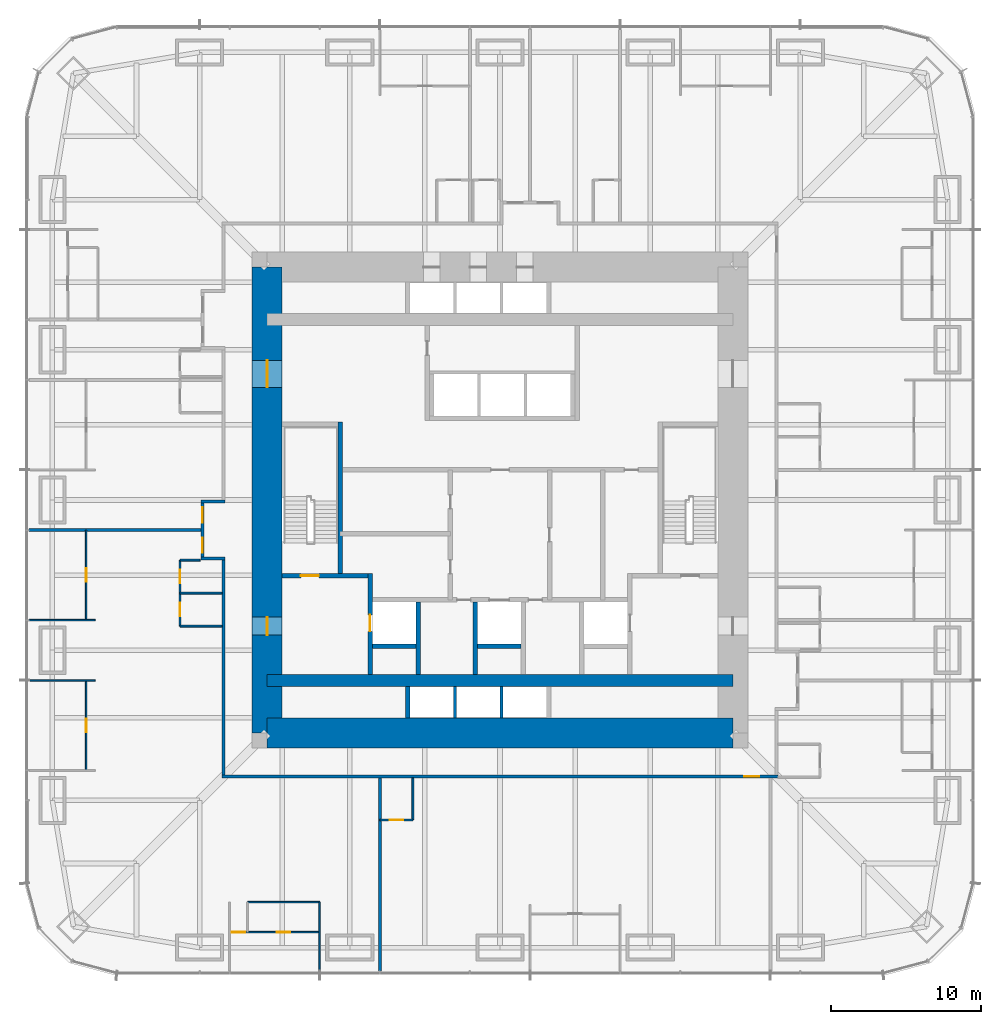
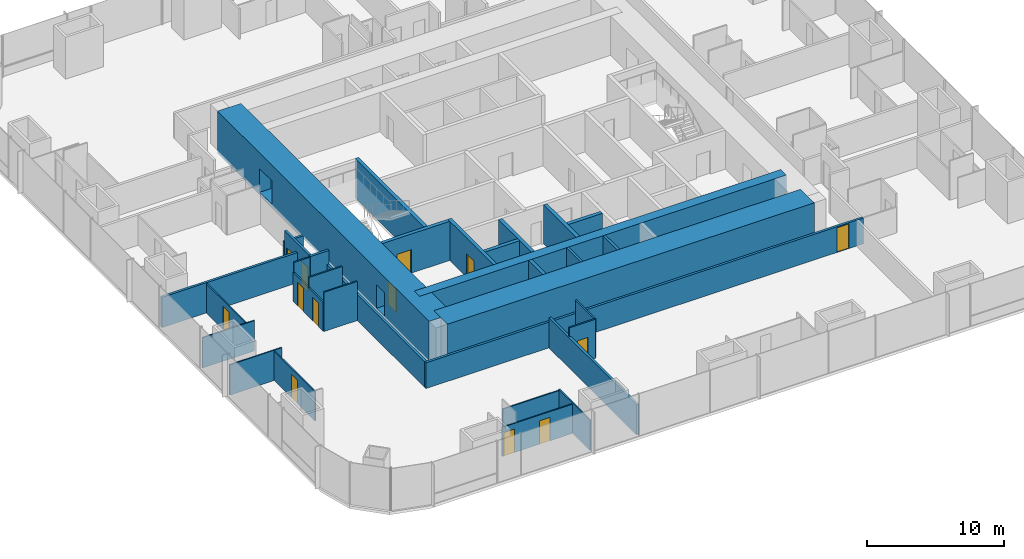
# One storey, part 12 of 17: 33 walls, 14 doors, 14 openings.
"""IFC4 building model written with IfcOpenShell, lengths in metres."""

from ifc_helpers import new_model, si_unit, direction, frame, frame_2d, origin, place, context, subcontext, project, spatial, rectangle, extrude, material, layer, layer_set, type_object, element, fill, save


model = new_model("IFC4")

# Units and contexts
model_context = context("Model", 3, precision=1e-05, world=origin(), true_north=direction((0.0, 1.0)))
body_context = subcontext(model_context, "Body", "Model", "MODEL_VIEW")
ifc_project = project(units=[si_unit("LENGTHUNIT", "METRE"), si_unit("AREAUNIT", "SQUARE_METRE"), si_unit("VOLUMEUNIT", "CUBIC_METRE"), si_unit("PLANEANGLEUNIT", "RADIAN"), si_unit("MASSUNIT", "GRAM", prefix="KILO")], contexts=[model_context])

# Site, building, storey
site_placement = place(None, origin())
site = spatial("IfcSite", under=ifc_project, at=site_placement, CompositionType="ELEMENT")
building_placement = place(site_placement, origin())
building = spatial("IfcBuilding", under=site, at=building_placement, Name="Khuree Lantern Residences", CompositionType="ELEMENT")
storey_placement = place(building_placement, frame((0.0, 0.0, 51.0)))
storey = spatial("IfcBuildingStorey", under=building, at=storey_placement, Name="L12", CompositionType="ELEMENT", Elevation=51.0)

# Wall, openings, doors
ifc_material_1 = material(Name="Moisture-resistant gypsum board on steel studs", Category="steel")
ifc_layer_1 = layer(ifc_material_1, 0.125)
ifc_layer_set_1 = layer_set([ifc_layer_1], Name="BATHROOM WALL BTW125")
wall_type_1 = type_object("IfcWallType", Name="BATHROOM WALL BTW125", PredefinedType="PARTITIONING", material=ifc_layer_set_1)
wall_1_placement = place(storey_placement, frame((-21.300048828125, -4.0, 0.0), z_axis=(0.0, 0.0, 1.0), x_axis=(0.0, -1.0, 0.0)))
wall_1 = element("IfcWall", 1, at=wall_1_placement, inside=storey, type_object=wall_type_1, Name="L12 BATHROOM WALL 08", PredefinedType="PARTITIONING", context=body_context, shape_type="SweptSolid", body=[
    extrude(rectangle(XDim=4.39990234375, YDim=0.125, at=frame_2d((2.199951171875, 0.0))), origin(), (0.0, 0.0, 1.0), 2.610107421875),
])
opening_1_placement = place(wall_1_placement, frame((0.64990234375, 0.0, 0.0)))
opening_1 = element("IfcOpeningElement", 2, at=opening_1_placement, cuts=wall_1, Name="Opening 12-049", PredefinedType="OPENING", context=body_context, shape_type="SweptSolid", body=[
    extrude(rectangle(XDim=0.89990234375, YDim=2.10009765625, at=frame_2d((0.449951171875, 1.050048828125))), frame((0.0, 0.072509765625, 0.0), z_axis=(0.0, -1.0, 0.0), x_axis=(1.0, 0.0, 0.0)), (0.0, 0.0, 1.0), 0.14501953125),
])
opening_2_placement = place(wall_1_placement, frame((2.85009765625, 0.0, 0.0)))
opening_2 = element("IfcOpeningElement", 3, at=opening_2_placement, cuts=wall_1, Name="Opening 12-050", PredefinedType="OPENING", context=body_context, shape_type="SweptSolid", body=[
    extrude(rectangle(XDim=0.89990234375, YDim=2.10009765625, at=frame_2d((0.449951171875, 1.050048828125))), frame((0.0, 0.072509765625, 0.0), z_axis=(0.0, -1.0, 0.0), x_axis=(1.0, 0.0, 0.0)), (0.0, 0.0, 1.0), 0.14501953125),
])
ifc_material_2 = material(Name="Timber door leaf in hardwood frame", Category="wood")
door_type_1 = type_object("IfcDoorType", Name="BATHROOM DOOR 900X2100", OperationType="SINGLE_SWING_LEFT", PredefinedType="DOOR", material=ifc_material_2)
door_1_placement = place(opening_1_placement, origin())
door_1 = element("IfcDoor", 4, at=door_1_placement, inside=storey, type_object=door_type_1, Name="Bathroom door 12-049", OperationType="SINGLE_SWING_LEFT", OverallHeight=2.10009765625, OverallWidth=0.89990234375, PredefinedType="DOOR", context=body_context, shape_type="SweptSolid", body=[
    extrude(rectangle(XDim=0.89990234375, YDim=2.10009765625, at=frame_2d((0.449951171875, 1.050048828125))), frame((0.0, 0.02490234375, 0.0), z_axis=(0.0, -1.0, 0.0), x_axis=(1.0, 0.0, 0.0)), (0.0, 0.0, 1.0), 0.050048828125),
])
fill(opening_1, door_1)
door_2_placement = place(opening_2_placement, origin())
door_2 = element("IfcDoor", 5, at=door_2_placement, inside=storey, type_object=door_type_1, Name="Bathroom door 12-050", OperationType="SINGLE_SWING_LEFT", OverallHeight=2.10009765625, OverallWidth=0.89990234375, PredefinedType="DOOR", context=body_context, shape_type="SweptSolid", body=[
    extrude(rectangle(XDim=0.89990234375, YDim=2.10009765625, at=frame_2d((0.449951171875, 1.050048828125))), frame((0.0, 0.02490234375, 0.0), z_axis=(0.0, -1.0, 0.0), x_axis=(1.0, 0.0, 0.0)), (0.0, 0.0, 1.0), 0.050048828125),
])
fill(opening_2, door_2)

# Walls
wall_2_placement = place(storey_placement, frame((-19.969970703125, -4.0, 0.0), z_axis=(0.0, 0.0, 1.0), x_axis=(-1.0, 0.0, 0.0)))
element("IfcWall", 6, at=wall_2_placement, inside=storey, type_object=wall_type_1, Name="L12 BATHROOM WALL 08", PredefinedType="PARTITIONING", context=body_context, shape_type="SweptSolid", body=[
    extrude(rectangle(XDim=1.330078125, YDim=0.125, at=frame_2d((0.6650390625, 0.0))), origin(), (0.0, 0.0, 1.0), 3.5),
])
for number, where, z_axis, x_axis, name in (
    (7, (-18.5, -6.199951171875, 0.0), (0.0, 0.0, 1.0), (-1.0, 0.0, 0.0), "L12 BATHROOM WALL 08"),
    (8, (-18.5, -8.39990234375, 0.0), (0.0, 0.0, 1.0), (-1.0, 0.0, 0.0), "L12 BATHROOM WALL 08"),
):
    element("IfcWall", number, at=place(storey_placement, frame(where, z_axis=z_axis, x_axis=x_axis)), inside=storey, type_object=wall_type_1, Name=name, PredefinedType="PARTITIONING", context=body_context, shape_type="SweptSolid", body=[
        extrude(rectangle(XDim=2.800048828125, YDim=0.125, at=frame_2d((1.39990234375, 0.0))), origin(), (0.0, 0.0, 1.0), 3.5),
    ])

# Wall, opening, door
wall_3_placement = place(storey_placement, frame((-8.0, -21.300048828125, 0.0), z_axis=(0.0, 0.0, 1.0), x_axis=(1.0, 0.0, 0.0)))
wall_3 = element("IfcWall", 9, at=wall_3_placement, inside=storey, type_object=wall_type_1, Name="L12 BATHROOM WALL 09", PredefinedType="PARTITIONING", context=body_context, shape_type="SweptSolid", body=[
    extrude(rectangle(XDim=2.199951171875, YDim=0.125, at=frame_2d((1.10009765625, 0.0))), origin(), (0.0, 0.0, 1.0), 3.5),
])
opening_3_placement = place(wall_3_placement, frame((0.64990234375, 0.0, 0.0)))
opening_3 = element("IfcOpeningElement", 10, at=opening_3_placement, cuts=wall_3, Name="Opening 12-053", PredefinedType="OPENING", context=body_context, shape_type="SweptSolid", body=[
    extrude(rectangle(XDim=0.89990234375, YDim=2.10009765625, at=frame_2d((0.449951171875, 1.050048828125))), frame((0.0, 0.072509765625, 0.0), z_axis=(0.0, -1.0, 0.0), x_axis=(1.0, 0.0, 0.0)), (0.0, 0.0, 1.0), 0.14501953125),
])
door_3_placement = place(opening_3_placement, origin())
door_3 = element("IfcDoor", 11, at=door_3_placement, inside=storey, type_object=door_type_1, Name="Bathroom door 12-053", OperationType="SINGLE_SWING_LEFT", OverallHeight=2.10009765625, OverallWidth=0.89990234375, PredefinedType="DOOR", context=body_context, shape_type="SweptSolid", body=[
    extrude(rectangle(XDim=0.89990234375, YDim=2.10009765625, at=frame_2d((0.449951171875, 1.050048828125))), frame((0.0, 0.02490234375, 0.0), z_axis=(0.0, -1.0, 0.0), x_axis=(1.0, 0.0, 0.0)), (0.0, 0.0, 1.0), 0.050048828125),
])
fill(opening_3, door_3)

# Wall
wall_4_placement = place(storey_placement, frame((-5.800048828125, -18.5, 0.0), z_axis=(0.0, 0.0, 1.0), x_axis=(0.0, -1.0, 0.0)))
element("IfcWall", 12, at=wall_4_placement, inside=storey, type_object=wall_type_1, Name="L12 BATHROOM WALL 09", PredefinedType="PARTITIONING", context=body_context, shape_type="SweptSolid", body=[
    extrude(rectangle(XDim=2.800048828125, YDim=0.125, at=frame_2d((1.39990234375, 0.0))), origin(), (0.0, 0.0, 1.0), 3.5),
])

# Wall, opening, door
ifc_material_3 = material(Name="Dense concrete blockwork", Category="masonry")
ifc_layer_2 = layer(ifc_material_3, 0.300048828125)
ifc_layer_set_2 = layer_set([ifc_layer_2], Name="CORE PARTITION WALL CPW300 EI 120")
wall_type_2 = type_object("IfcWallType", Name="CORE PARTITION WALL CPW300 EI 120", PredefinedType="PARTITIONING", material=ifc_layer_set_2)
wall_5_placement = place(storey_placement, frame((-8.64990234375, -11.60009765625, 0.0), z_axis=(0.0, 0.0, 1.0), x_axis=(0.0, 1.0, 0.0)))
wall_5 = element("IfcWall", 13, at=wall_5_placement, inside=storey, type_object=wall_type_2, Name="L12 CORE WALL FL1W", PredefinedType="PARTITIONING", context=body_context, shape_type="SweptSolid", body=[
    extrude(rectangle(XDim=6.7001953125, YDim=0.300048828125, at=frame_2d((3.35009765625, 0.0))), origin(), (0.0, 0.0, 1.0), 3.5),
])
opening_4_placement = place(wall_5_placement, frame((2.85009765625, 0.0, 0.0)))
opening_4 = element("IfcOpeningElement", 14, at=opening_4_placement, cuts=wall_5, Name="Opening 12-007", PredefinedType="OPENING", context=body_context, shape_type="SweptSolid", body=[
    extrude(rectangle(XDim=1.10009765625, YDim=2.10009765625, at=frame_2d((0.550048828125, 1.050048828125))), frame((0.0, 0.16015625, 0.0), z_axis=(0.0, -1.0, 0.0), x_axis=(1.0, 0.0, 0.0)), (0.0, 0.0, 1.0), 0.320068359375),
])
ifc_material_4 = material(Name="Stainless steel lift landing door", Category="steel")
door_type_2 = type_object("IfcDoorType", Name="LIFT LANDING DOOR 1100X2100 E 120", OperationType="DOUBLE_DOOR_SLIDING", PredefinedType="DOOR", material=ifc_material_4)
door_4_placement = place(opening_4_placement, origin())
door_4 = element("IfcDoor", 15, at=door_4_placement, inside=storey, type_object=door_type_2, Name="Landing door FL1 12-007", OperationType="DOUBLE_DOOR_SLIDING", OverallHeight=2.10009765625, OverallWidth=1.10009765625, PredefinedType="DOOR", context=body_context, shape_type="SweptSolid", body=[
    extrude(rectangle(XDim=1.10009765625, YDim=2.10009765625, at=frame_2d((0.550048828125, 1.050048828125))), frame((0.0, 0.02490234375, 0.0), z_axis=(0.0, -1.0, 0.0), x_axis=(1.0, 0.0, 0.0)), (0.0, 0.0, 1.0), 0.050048828125),
])
fill(opening_4, door_4)

# Walls
for number, where, z_axis, x_axis, name in (
    (16, (-5.449951171875, -11.60009765625, 0.0), (0.0, 0.0, 1.0), (0.0, 1.0, 0.0), "L12 CORE WALL FL1E"),
    (17, (-1.64990234375, -11.60009765625, 0.0), (0.0, 0.0, 1.0), (0.0, 1.0, 0.0), "L12 CORE WALL SL1W"),
):
    element("IfcWall", number, at=place(storey_placement, frame(where, z_axis=z_axis, x_axis=x_axis)), inside=storey, type_object=wall_type_2, Name=name, PredefinedType="PARTITIONING", context=body_context, shape_type="SweptSolid", body=[
        extrude(rectangle(XDim=4.800048828125, YDim=0.300048828125, at=frame_2d((2.39990234375, 0.0))), origin(), (0.0, 0.0, 1.0), 3.5),
    ])
for number, where, z_axis, x_axis, name in (
    (18, (-8.5, -9.75, 0.0), (0.0, 0.0, 1.0), (1.0, 0.0, 0.0), "L12 CORE WALL FL1S"),
    (19, (-1.5, -9.75, 0.0), (0.0, 0.0, 1.0), (1.0, 0.0, 0.0), "L12 CORE WALL SL1S"),
):
    element("IfcWall", number, at=place(storey_placement, frame(where, z_axis=z_axis, x_axis=x_axis)), inside=storey, type_object=wall_type_2, Name=name, PredefinedType="PARTITIONING", context=body_context, shape_type="SweptSolid", body=[
        extrude(rectangle(XDim=2.89990234375, YDim=0.300048828125, at=frame_2d((1.449951171875, 0.0))), origin(), (0.0, 0.0, 1.0), 3.5),
    ])
wall_6_placement = place(storey_placement, frame((-6.14990234375, -14.5, 0.0), z_axis=(0.0, 0.0, 1.0), x_axis=(0.0, 1.0, 0.0)))
element("IfcWall", 20, at=wall_6_placement, inside=storey, type_object=wall_type_2, Name="L12 CORE WALL PMW", PredefinedType="PARTITIONING", context=body_context, shape_type="SweptSolid", body=[
    extrude(rectangle(XDim=2.10009765625, YDim=0.300048828125, at=frame_2d((1.050048828125, 0.0))), origin(), (0.0, 0.0, 1.0), 3.5),
])
ifc_material_5 = material(Name="Gypsum board on steel studs", Category="steel")
ifc_layer_3 = layer(ifc_material_5, 0.199951171875)
ifc_layer_set_3 = layer_set([ifc_layer_3], Name="CORRIDOR WALL CRW200 EI 60")
wall_type_3 = type_object("IfcWallType", Name="CORRIDOR WALL CRW200 EI 60", PredefinedType="PARTITIONING", material=ifc_layer_set_3)
wall_7_placement = place(storey_placement, frame((-18.300048828125, -0.10009765625, 0.0), z_axis=(0.0, 0.0, 1.0), x_axis=(-1.0, 0.0, 0.0)))
element("IfcWall", 21, at=wall_7_placement, inside=storey, type_object=wall_type_3, Name="L12 CORRIDOR ALCOVE WALL WEST", PredefinedType="PARTITIONING", context=body_context, shape_type="SweptSolid", body=[
    extrude(rectangle(XDim=1.599853515625, YDim=0.199951171875, at=frame_2d((0.7998046875, 0.0))), origin(), (0.0, 0.0, 1.0), 2.491943359375),
])
wall_8_placement = place(storey_placement, frame((-18.300048828125, -3.89990234375, 0.0), z_axis=(0.0, 0.0, 1.0), x_axis=(-1.0, 0.0, 0.0)))
element("IfcWall", 22, at=wall_8_placement, inside=storey, type_object=wall_type_3, Name="L12 CORRIDOR ALCOVE WALL WEST", PredefinedType="PARTITIONING", context=body_context, shape_type="SweptSolid", body=[
    extrude(rectangle(XDim=1.599853515625, YDim=0.199951171875, at=frame_2d((0.7998046875, 0.0))), origin(), (0.0, 0.0, 1.0), 3.5),
])

# Wall, openings, doors
wall_9_placement = place(storey_placement, frame((-19.800048828125, -0.199951171875, 0.0), z_axis=(0.0, 0.0, 1.0), x_axis=(0.0, -1.0, 0.0)))
wall_9 = element("IfcWall", 23, at=wall_9_placement, inside=storey, type_object=wall_type_3, Name="L12 CORRIDOR ALCOVE WALL WEST", PredefinedType="PARTITIONING", context=body_context, shape_type="SweptSolid", body=[
    extrude(rectangle(XDim=3.60009765625, YDim=0.199951171875, at=frame_2d((1.800048828125, 0.0))), origin(), (0.0, 0.0, 1.0), 3.5),
])
opening_5_placement = place(wall_9_placement, frame((0.300048828125, 0.0, 0.0)))
opening_5 = element("IfcOpeningElement", 24, at=opening_5_placement, cuts=wall_9, Name="Opening 12-044", PredefinedType="OPENING", context=body_context, shape_type="SweptSolid", body=[
    extrude(rectangle(XDim=1.0, YDim=2.199951171875, at=frame_2d((0.5, 1.10009765625))), frame((0.0, 0.10986328125, 0.0), z_axis=(0.0, -1.0, 0.0), x_axis=(1.0, 0.0, 0.0)), (0.0, 0.0, 1.0), 0.219970703125),
])
opening_6_placement = place(wall_9_placement, frame((2.300048828125, 0.0, 0.0)))
opening_6 = element("IfcOpeningElement", 25, at=opening_6_placement, cuts=wall_9, Name="Opening 12-051", PredefinedType="OPENING", context=body_context, shape_type="SweptSolid", body=[
    extrude(rectangle(XDim=1.0, YDim=2.199951171875, at=frame_2d((0.5, 1.10009765625))), frame((0.0, 0.10986328125, 0.0), z_axis=(0.0, -1.0, 0.0), x_axis=(1.0, 0.0, 0.0)), (0.0, 0.0, 1.0), 0.219970703125),
])
door_type_3 = type_object("IfcDoorType", Name="APARTMENT ENTRANCE DOOR 1000X2200 EI 30S", OperationType="SINGLE_SWING_LEFT", PredefinedType="DOOR", material=ifc_material_2)
door_5_placement = place(opening_5_placement, origin())
door_5 = element("IfcDoor", 26, at=door_5_placement, inside=storey, type_object=door_type_3, Name="Apartment 07 entrance door 12-044", OperationType="SINGLE_SWING_LEFT", OverallHeight=2.199951171875, OverallWidth=1.0, PredefinedType="DOOR", context=body_context, shape_type="SweptSolid", body=[
    extrude(rectangle(XDim=1.0, YDim=2.199951171875, at=frame_2d((0.5, 1.10009765625))), frame((0.0, 0.02490234375, 0.0), z_axis=(0.0, -1.0, 0.0), x_axis=(1.0, 0.0, 0.0)), (0.0, 0.0, 1.0), 0.050048828125),
])
fill(opening_5, door_5)
door_type_4 = type_object("IfcDoorType", Name="APARTMENT ENTRANCE DOOR 1000X2200 EI 30S RIGHT HAND", OperationType="SINGLE_SWING_RIGHT", PredefinedType="DOOR", material=ifc_material_2)
door_6_placement = place(opening_6_placement, origin())
door_6 = element("IfcDoor", 27, at=door_6_placement, inside=storey, type_object=door_type_4, Name="Apartment 08 entrance door 12-051", OperationType="SINGLE_SWING_RIGHT", OverallHeight=2.199951171875, OverallWidth=1.0, PredefinedType="DOOR", context=body_context, shape_type="SweptSolid", body=[
    extrude(rectangle(XDim=1.0, YDim=2.199951171875, at=frame_2d((0.5, 1.10009765625))), frame((0.0, 0.02490234375, 0.0), z_axis=(0.0, -1.0, 0.0), x_axis=(1.0, 0.0, 0.0)), (0.0, 0.0, 1.0), 0.050048828125),
])
fill(opening_6, door_6)

# Wall
wall_10_placement = place(storey_placement, frame((-18.39990234375, -4.0, 0.0), z_axis=(0.0, 0.0, 1.0), x_axis=(0.0, -1.0, 0.0)))
element("IfcWall", 28, at=wall_10_placement, inside=storey, type_object=wall_type_3, Name="L12 CORRIDOR WALL WEST 3", PredefinedType="PARTITIONING", context=body_context, shape_type="SweptSolid", body=[
    extrude(rectangle(XDim=14.300048828125, YDim=0.199951171875, at=frame_2d((7.14990234375, 0.0))), origin(), (0.0, 0.0, 1.0), 2.300048828125),
])

# Wall, opening, door
wall_11_placement = place(storey_placement, frame((18.5, -18.39990234375, 0.0), z_axis=(0.0, 0.0, 1.0), x_axis=(-1.0, 0.0, 0.0)))
wall_11 = element("IfcWall", 29, at=wall_11_placement, inside=storey, type_object=wall_type_3, Name="L12 CORRIDOR WALL SOUTH 1", PredefinedType="PARTITIONING", context=body_context, shape_type="SweptSolid", body=[
    extrude(rectangle(XDim=37.0, YDim=0.199951171875, at=frame_2d((18.5, 0.0))), origin(), (0.0, 0.0, 1.0), 2.300048828125),
])
opening_7_placement = place(wall_11_placement, frame((1.22998046875, 0.0, 0.0)))
opening_7 = element("IfcOpeningElement", 30, at=opening_7_placement, cuts=wall_11, Name="Opening 12-054", PredefinedType="OPENING", context=body_context, shape_type="SweptSolid", body=[
    extrude(rectangle(XDim=1.0, YDim=2.199951171875, at=frame_2d((0.5, 1.10009765625))), frame((0.0, 0.10986328125, 0.0), z_axis=(0.0, -1.0, 0.0), x_axis=(1.0, 0.0, 0.0)), (0.0, 0.0, 1.0), 0.219970703125),
])
door_7_placement = place(opening_7_placement, origin())
door_7 = element("IfcDoor", 31, at=door_7_placement, inside=storey, type_object=door_type_3, Name="Apartment 09 entrance door 12-054", OperationType="SINGLE_SWING_LEFT", OverallHeight=2.199951171875, OverallWidth=1.0, PredefinedType="DOOR", context=body_context, shape_type="SweptSolid", body=[
    extrude(rectangle(XDim=1.0, YDim=2.199951171875, at=frame_2d((0.5, 1.10009765625))), frame((0.0, 0.02490234375, 0.0), z_axis=(0.0, -1.0, 0.0), x_axis=(1.0, 0.0, 0.0)), (0.0, 0.0, 1.0), 0.050048828125),
])
fill(opening_7, door_7)

# Wall
ifc_material_6 = material(Name="Concrete C70/85", Category="concrete")
ifc_layer_4 = layer(ifc_material_6, 2.0)
ifc_layer_set_4 = layer_set([ifc_layer_4], Name="CW2000-C70 CORE WALL C70 2000")
wall_type_4 = type_object("IfcWallType", Name="CW2000-C70 CORE WALL C70 2000", PredefinedType="SHEAR", material=ifc_layer_set_4)
wall_12_placement = place(storey_placement, frame((-15.5, -15.5, -0.25), z_axis=(0.0, 0.0, 1.0), x_axis=(1.0, 0.0, 0.0)))
element("IfcWall", 32, at=wall_12_placement, inside=storey, type_object=wall_type_4, Name="Core wall S", PredefinedType="SHEAR", context=body_context, shape_type="SweptSolid", body=[
    extrude(rectangle(XDim=31.0, YDim=2.0, at=frame_2d((15.5, 0.0))), origin(), (0.0, 0.0, 1.0), 3.75),
])

# Wall, openings, doors
wall_13_placement = place(storey_placement, frame((-15.5, -15.5, -0.25), z_axis=(0.0, 0.0, 1.0), x_axis=(0.0, 1.0, 0.0)))
wall_13 = element("IfcWall", 33, at=wall_13_placement, inside=storey, type_object=wall_type_4, Name="Core wall W", PredefinedType="SHEAR", context=body_context, shape_type="SweptSolid", body=[
    extrude(rectangle(XDim=31.0, YDim=2.0, at=frame_2d((15.5, 0.0))), origin(), (0.0, 0.0, 1.0), 3.75),
])
opening_8_placement = place(wall_13_placement, frame((6.5, 0.0, 0.25)))
opening_8 = element("IfcOpeningElement", 34, at=opening_8_placement, cuts=wall_13, Name="Opening 12-002", PredefinedType="OPENING", context=body_context, shape_type="SweptSolid", body=[
    extrude(rectangle(XDim=1.199951171875, YDim=2.10009765625, at=frame_2d((0.60009765625, 1.050048828125))), frame((0.0, 1.010009765625, 0.0), z_axis=(0.0, -1.0, 0.0), x_axis=(1.0, 0.0, 0.0)), (0.0, 0.0, 1.0), 2.02001953125),
])
opening_9_placement = place(wall_13_placement, frame((23.0, 0.0, 0.25)))
opening_9 = element("IfcOpeningElement", 35, at=opening_9_placement, cuts=wall_13, Name="Opening 12-003", PredefinedType="OPENING", context=body_context, shape_type="SweptSolid", body=[
    extrude(rectangle(XDim=1.800048828125, YDim=2.10009765625, at=frame_2d((0.89990234375, 1.050048828125))), frame((0.0, 1.010009765625, 0.0), z_axis=(0.0, -1.0, 0.0), x_axis=(1.0, 0.0, 0.0)), (0.0, 0.0, 1.0), 2.02001953125),
])
ifc_material_7 = material(Name="Steel door leaf in steel frame", Category="steel")
door_type_5 = type_object("IfcDoorType", Name="LOBBY DOOR 1200X2100 EI 120", OperationType="SINGLE_SWING_LEFT", PredefinedType="DOOR", material=ifc_material_7)
door_8_placement = place(opening_8_placement, origin())
door_8 = element("IfcDoor", 36, at=door_8_placement, inside=storey, type_object=door_type_5, Name="Firefighting lobby door 12-002", OperationType="SINGLE_SWING_LEFT", OverallHeight=2.10009765625, OverallWidth=1.199951171875, PredefinedType="DOOR", context=body_context, shape_type="SweptSolid", body=[
    extrude(rectangle(XDim=1.199951171875, YDim=2.10009765625, at=frame_2d((0.60009765625, 1.050048828125))), frame((0.0, 0.02490234375, 0.0), z_axis=(0.0, -1.0, 0.0), x_axis=(1.0, 0.0, 0.0)), (0.0, 0.0, 1.0), 0.050048828125),
])
fill(opening_8, door_8)
door_type_6 = type_object("IfcDoorType", Name="LOBBY DOUBLE DOOR 1800X2100 EI 60", OperationType="DOUBLE_DOOR_SINGLE_SWING", PredefinedType="DOOR", material=ifc_material_7)
door_9_placement = place(opening_9_placement, origin())
door_9 = element("IfcDoor", 37, at=door_9_placement, inside=storey, type_object=door_type_6, Name="Lift lobby door 12-003", OperationType="DOUBLE_DOOR_SINGLE_SWING", OverallHeight=2.10009765625, OverallWidth=1.800048828125, PredefinedType="DOOR", context=body_context, shape_type="SweptSolid", body=[
    extrude(rectangle(XDim=1.800048828125, YDim=2.10009765625, at=frame_2d((0.89990234375, 1.050048828125))), frame((0.0, 0.02490234375, 0.0), z_axis=(0.0, -1.0, 0.0), x_axis=(1.0, 0.0, 0.0)), (0.0, 0.0, 1.0), 0.050048828125),
])
fill(opening_9, door_9)

# Walls
ifc_layer_5 = layer(ifc_material_5, 0.199951171875)
ifc_layer_set_5 = layer_set([ifc_layer_5], Name="DEMISING WALL DMW200 EI 90")
wall_type_5 = type_object("IfcWallType", Name="DEMISING WALL DMW200 EI 90", PredefinedType="PARTITIONING", material=ifc_layer_set_5)
wall_14_placement = place(storey_placement, frame((-19.89990234375, -2.0, 0.0), z_axis=(0.0, 0.0, 1.0), x_axis=(-1.0, 0.0, 0.0)))
element("IfcWall", 38, at=wall_14_placement, inside=storey, type_object=wall_type_5, Name="L12 DEMISING WALL 08", PredefinedType="PARTITIONING", context=body_context, shape_type="SweptSolid", body=[
    extrude(rectangle(XDim=11.4501953125, YDim=0.199951171875, at=frame_2d((5.72509765625, 0.0))), origin(), (0.0, 0.0, 1.0), 2.7099609375),
])
wall_15_placement = place(storey_placement, frame((-8.0, -18.5, 0.0), z_axis=(0.0, 0.0, 1.0), x_axis=(0.0, -1.0, 0.0)))
element("IfcWall", 39, at=wall_15_placement, inside=storey, type_object=wall_type_5, Name="L12 DEMISING WALL 09", PredefinedType="PARTITIONING", context=body_context, shape_type="SweptSolid", body=[
    extrude(rectangle(XDim=12.85009765625, YDim=0.199951171875, at=frame_2d((6.425048828125, 0.0))), origin(), (0.0, 0.0, 1.0), 2.7099609375),
])
ifc_layer_6 = layer(ifc_material_5, 0.10009765625)
ifc_layer_set_6 = layer_set([ifc_layer_6], Name="PARTITION PT100")
wall_type_6 = type_object("IfcWallType", Name="PARTITION PT100", PredefinedType="PARTITIONING", material=ifc_layer_set_6)
for number, where, z_axis, x_axis, name in (
    (40, (-26.949951171875, -8.0, 0.0), (0.0, 0.0, 1.0), (-1.0, 0.0, 0.0), "L12 PARTITION 08"),
    (41, (-26.949951171875, -12.0, 0.0), (0.0, 0.0, 1.0), (-1.0, 0.0, 0.0), "L12 PARTITION 08"),
):
    element("IfcWall", number, at=place(storey_placement, frame(where, z_axis=z_axis, x_axis=x_axis)), inside=storey, type_object=wall_type_6, Name=name, PredefinedType="PARTITIONING", context=body_context, shape_type="SweptSolid", body=[
        extrude(rectangle(XDim=4.400146484375, YDim=0.10009765625, at=frame_2d((2.2001953125, 0.0))), origin(), (0.0, 0.0, 1.0), 2.7099609375),
    ])
wall_16_placement = place(storey_placement, frame((-12.0, -26.7666015625, 0.0), z_axis=(0.0, 0.0, 1.0), x_axis=(0.0, -1.0, 0.0)))
element("IfcWall", 42, at=wall_16_placement, inside=storey, type_object=wall_type_6, Name="L12 PARTITION 08", PredefinedType="PARTITIONING", context=body_context, shape_type="SweptSolid", body=[
    extrude(rectangle(XDim=4.58349609375, YDim=0.10009765625, at=frame_2d((2.291748046875, 0.0))), origin(), (0.0, 0.0, 1.0), 2.7099609375),
])

# Wall, opening, door
wall_17_placement = place(storey_placement, frame((-27.550048828125, -2.0, 0.0), z_axis=(0.0, 0.0, 1.0), x_axis=(0.0, -1.0, 0.0)))
wall_17 = element("IfcWall", 43, at=wall_17_placement, inside=storey, type_object=wall_type_6, Name="L12 PARTITION 08", PredefinedType="PARTITIONING", context=body_context, shape_type="SweptSolid", body=[
    extrude(rectangle(XDim=6.0, YDim=0.10009765625, at=frame_2d((3.0, 0.0))), origin(), (0.0, 0.0, 1.0), 2.610107421875),
])
opening_10_placement = place(wall_17_placement, frame((2.550048828125, 0.0, 0.0)))
opening_10 = element("IfcOpeningElement", 44, at=opening_10_placement, cuts=wall_17, Name="Opening 12-045", PredefinedType="OPENING", context=body_context, shape_type="SweptSolid", body=[
    extrude(rectangle(XDim=0.89990234375, YDim=2.10009765625, at=frame_2d((0.449951171875, 1.050048828125))), frame((0.0, 0.06005859375, 0.0), z_axis=(0.0, -1.0, 0.0), x_axis=(1.0, 0.0, 0.0)), (0.0, 0.0, 1.0), 0.1201171875),
])
door_type_7 = type_object("IfcDoorType", Name="BEDROOM DOOR 900X2100", OperationType="SINGLE_SWING_LEFT", PredefinedType="DOOR", material=ifc_material_2)
door_10_placement = place(opening_10_placement, origin())
door_10 = element("IfcDoor", 45, at=door_10_placement, inside=storey, type_object=door_type_7, Name="Bedroom door 12-045", OperationType="SINGLE_SWING_LEFT", OverallHeight=2.10009765625, OverallWidth=0.89990234375, PredefinedType="DOOR", context=body_context, shape_type="SweptSolid", body=[
    extrude(rectangle(XDim=0.89990234375, YDim=2.10009765625, at=frame_2d((0.449951171875, 1.050048828125))), frame((0.0, 0.02490234375, 0.0), z_axis=(0.0, -1.0, 0.0), x_axis=(1.0, 0.0, 0.0)), (0.0, 0.0, 1.0), 0.050048828125),
])
fill(opening_10, door_10)

wall_18_placement = place(storey_placement, frame((-27.550048828125, -12.0, 0.0), z_axis=(0.0, 0.0, 1.0), x_axis=(0.0, -1.0, 0.0)))
wall_18 = element("IfcWall", 46, at=wall_18_placement, inside=storey, type_object=wall_type_6, Name="L12 PARTITION 08", PredefinedType="PARTITIONING", context=body_context, shape_type="SweptSolid", body=[
    extrude(rectangle(XDim=6.0, YDim=0.10009765625, at=frame_2d((3.0, 0.0))), origin(), (0.0, 0.0, 1.0), 2.610107421875),
])
opening_11_placement = place(wall_18_placement, frame((2.550048828125, 0.0, 0.0)))
opening_11 = element("IfcOpeningElement", 47, at=opening_11_placement, cuts=wall_18, Name="Opening 12-046", PredefinedType="OPENING", context=body_context, shape_type="SweptSolid", body=[
    extrude(rectangle(XDim=0.89990234375, YDim=2.10009765625, at=frame_2d((0.449951171875, 1.050048828125))), frame((0.0, 0.06005859375, 0.0), z_axis=(0.0, -1.0, 0.0), x_axis=(1.0, 0.0, 0.0)), (0.0, 0.0, 1.0), 0.1201171875),
])
door_11_placement = place(opening_11_placement, origin())
door_11 = element("IfcDoor", 48, at=door_11_placement, inside=storey, type_object=door_type_7, Name="Bedroom door 12-046", OperationType="SINGLE_SWING_LEFT", OverallHeight=2.10009765625, OverallWidth=0.89990234375, PredefinedType="DOOR", context=body_context, shape_type="SweptSolid", body=[
    extrude(rectangle(XDim=0.89990234375, YDim=2.10009765625, at=frame_2d((0.449951171875, 1.050048828125))), frame((0.0, 0.02490234375, 0.0), z_axis=(0.0, -1.0, 0.0), x_axis=(1.0, 0.0, 0.0)), (0.0, 0.0, 1.0), 0.050048828125),
])
fill(opening_11, door_11)

# Wall, openings, doors
wall_19_placement = place(storey_placement, frame((-18.0, -28.7666015625, 0.0), z_axis=(0.0, 0.0, 1.0), x_axis=(1.0, 0.0, 0.0)))
wall_19 = element("IfcWall", 49, at=wall_19_placement, inside=storey, type_object=wall_type_6, Name="L12 PARTITION 08", PredefinedType="PARTITIONING", context=body_context, shape_type="SweptSolid", body=[
    extrude(rectangle(XDim=6.0, YDim=0.10009765625, at=frame_2d((3.0, 0.0))), origin(), (0.0, 0.0, 1.0), 2.610107421875),
])
opening_12_placement = place(wall_19_placement, frame((0.14990234375, 0.0, 0.0)))
opening_12 = element("IfcOpeningElement", 50, at=opening_12_placement, cuts=wall_19, Name="Opening 12-047", PredefinedType="OPENING", context=body_context, shape_type="SweptSolid", body=[
    extrude(rectangle(XDim=0.89990234375, YDim=2.10009765625, at=frame_2d((0.449951171875, 1.050048828125))), frame((0.0, 0.06005859375, 0.0), z_axis=(0.0, -1.0, 0.0), x_axis=(1.0, 0.0, 0.0)), (0.0, 0.0, 1.0), 0.1201171875),
])
opening_13_placement = place(wall_19_placement, frame((3.14990234375, 0.0, 0.0)))
opening_13 = element("IfcOpeningElement", 51, at=opening_13_placement, cuts=wall_19, Name="Opening 12-048", PredefinedType="OPENING", context=body_context, shape_type="SweptSolid", body=[
    extrude(rectangle(XDim=0.89990234375, YDim=2.10009765625, at=frame_2d((0.449951171875, 1.050048828125))), frame((0.0, 0.06005859375, 0.0), z_axis=(0.0, -1.0, 0.0), x_axis=(1.0, 0.0, 0.0)), (0.0, 0.0, 1.0), 0.1201171875),
])
door_12_placement = place(opening_12_placement, origin())
door_12 = element("IfcDoor", 52, at=door_12_placement, inside=storey, type_object=door_type_7, Name="Bedroom door 12-047", OperationType="SINGLE_SWING_LEFT", OverallHeight=2.10009765625, OverallWidth=0.89990234375, PredefinedType="DOOR", context=body_context, shape_type="SweptSolid", body=[
    extrude(rectangle(XDim=0.89990234375, YDim=2.10009765625, at=frame_2d((0.449951171875, 1.050048828125))), frame((0.0, 0.02490234375, 0.0), z_axis=(0.0, -1.0, 0.0), x_axis=(1.0, 0.0, 0.0)), (0.0, 0.0, 1.0), 0.050048828125),
])
fill(opening_12, door_12)
door_type_8 = type_object("IfcDoorType", Name="DOOR 900X2100", OperationType="SINGLE_SWING_LEFT", PredefinedType="DOOR", material=ifc_material_2)
door_13_placement = place(opening_13_placement, origin())
door_13 = element("IfcDoor", 53, at=door_13_placement, inside=storey, type_object=door_type_8, Name="Wardrobe door 12-048", OperationType="SINGLE_SWING_LEFT", OverallHeight=2.10009765625, OverallWidth=0.89990234375, PredefinedType="DOOR", context=body_context, shape_type="SweptSolid", body=[
    extrude(rectangle(XDim=0.89990234375, YDim=2.10009765625, at=frame_2d((0.449951171875, 1.050048828125))), frame((0.0, 0.02490234375, 0.0), z_axis=(0.0, -1.0, 0.0), x_axis=(1.0, 0.0, 0.0)), (0.0, 0.0, 1.0), 0.050048828125),
])
fill(opening_13, door_13)

# Walls
wall_20_placement = place(storey_placement, frame((-16.800048828125, -26.7666015625, 0.0), z_axis=(0.0, 0.0, 1.0), x_axis=(1.0, 0.0, 0.0)))
element("IfcWall", 54, at=wall_20_placement, inside=storey, type_object=wall_type_6, Name="L12 PARTITION 08", PredefinedType="PARTITIONING", context=body_context, shape_type="SweptSolid", body=[
    extrude(rectangle(XDim=4.800048828125, YDim=0.10009765625, at=frame_2d((2.39990234375, 0.0))), origin(), (0.0, 0.0, 1.0), 2.610107421875),
])
ifc_layer_7 = layer(ifc_material_3, 0.199951171875)
ifc_layer_set_7 = layer_set([ifc_layer_7], Name="SHAFT WALL SHW200 EI 120")
wall_type_7 = type_object("IfcWallType", Name="SHAFT WALL SHW200 EI 120", PredefinedType="PARTITIONING", material=ifc_layer_set_7)
for number, where, z_axis, x_axis, name in (
    (55, (-3.0, -14.5, 0.0), (0.0, 0.0, 1.0), (0.0, 1.0, 0.0), "L12 CORE WALL PMD1"),
    (56, (0.10009765625, -14.5, 0.0), (0.0, 0.0, 1.0), (0.0, 1.0, 0.0), "L12 CORE WALL PMD2"),
):
    element("IfcWall", number, at=place(storey_placement, frame(where, z_axis=z_axis, x_axis=x_axis)), inside=storey, type_object=wall_type_7, Name=name, PredefinedType="PARTITIONING", context=body_context, shape_type="SweptSolid", body=[
        extrude(rectangle(XDim=2.10009765625, YDim=0.199951171875, at=frame_2d((1.050048828125, 0.0))), origin(), (0.0, 0.0, 1.0), 3.5),
    ])
ifc_layer_8 = layer(ifc_material_6, 0.800048828125)
ifc_layer_set_8 = layer_set([ifc_layer_8], Name="SP800-C70 CORE SPINE WALL C70 800")
wall_type_8 = type_object("IfcWallType", Name="SP800-C70 CORE SPINE WALL C70 800", PredefinedType="SHEAR", material=ifc_layer_set_8)
wall_21_placement = place(storey_placement, frame((-15.5, -12.0, -0.25), z_axis=(0.0, 0.0, 1.0), x_axis=(1.0, 0.0, 0.0)))
element("IfcWall", 57, at=wall_21_placement, inside=storey, type_object=wall_type_8, Name="Core wall SPS", PredefinedType="SHEAR", context=body_context, shape_type="SweptSolid", body=[
    extrude(rectangle(XDim=31.0, YDim=0.800048828125, at=frame_2d((15.5, 0.0))), origin(), (0.0, 0.0, 1.0), 3.75),
])
ifc_material_8 = material(Name="Concrete C50/60", Category="concrete")
ifc_layer_9 = layer(ifc_material_8, 0.300048828125)
ifc_layer_set_9 = layer_set([ifc_layer_9], Name="STAIR WALL SRW300 C50/60 REI 240")
wall_type_9 = type_object("IfcWallType", Name="STAIR WALL SRW300 C50/60 REI 240", PredefinedType="SOLIDWALL", material=ifc_layer_set_9)
wall_22_placement = place(storey_placement, frame((-10.64990234375, -4.89990234375, 0.0), z_axis=(0.0, 0.0, 1.0), x_axis=(0.0, 1.0, 0.0)))
element("IfcWall", 58, at=wall_22_placement, inside=storey, type_object=wall_type_9, Name="L12 STAIR WALL ST1E", PredefinedType="SOLIDWALL", context=body_context, shape_type="SweptSolid", body=[
    extrude(rectangle(XDim=10.099853515625, YDim=0.300048828125, at=frame_2d((5.0498046875, 0.0))), origin(), (0.0, 0.0, 1.0), 3.5),
])

# Wall, opening, door
wall_23_placement = place(storey_placement, frame((-14.5, -5.050048828125, 0.0), z_axis=(0.0, 0.0, 1.0), x_axis=(1.0, 0.0, 0.0)))
wall_23 = element("IfcWall", 59, at=wall_23_placement, inside=storey, type_object=wall_type_9, Name="L12 STAIR WALL ST1S", PredefinedType="SOLIDWALL", context=body_context, shape_type="SweptSolid", body=[
    extrude(rectangle(XDim=5.699951171875, YDim=0.300048828125, at=frame_2d((2.85009765625, 0.0))), origin(), (0.0, 0.0, 1.0), 3.5),
])
opening_14_placement = place(wall_23_placement, frame((1.25, 0.0, 0.0)))
opening_14 = element("IfcOpeningElement", 60, at=opening_14_placement, cuts=wall_23, Name="Opening 12-001", PredefinedType="OPENING", context=body_context, shape_type="SweptSolid", body=[
    extrude(rectangle(XDim=1.199951171875, YDim=2.10009765625, at=frame_2d((0.60009765625, 1.050048828125))), frame((0.0, 0.16015625, 0.0), z_axis=(0.0, -1.0, 0.0), x_axis=(1.0, 0.0, 0.0)), (0.0, 0.0, 1.0), 0.320068359375),
])
door_type_9 = type_object("IfcDoorType", Name="STAIR DOOR 1200X2100 EI 120", OperationType="SINGLE_SWING_LEFT", PredefinedType="DOOR", material=ifc_material_7)
door_14_placement = place(opening_14_placement, origin())
door_14 = element("IfcDoor", 61, at=door_14_placement, inside=storey, type_object=door_type_9, Name="Stair ST1 door 12-001", OperationType="SINGLE_SWING_LEFT", OverallHeight=2.10009765625, OverallWidth=1.199951171875, PredefinedType="DOOR", context=body_context, shape_type="SweptSolid", body=[
    extrude(rectangle(XDim=1.199951171875, YDim=2.10009765625, at=frame_2d((0.60009765625, 1.050048828125))), frame((0.0, 0.02490234375, 0.0), z_axis=(0.0, -1.0, 0.0), x_axis=(1.0, 0.0, 0.0)), (0.0, 0.0, 1.0), 0.050048828125),
])
fill(opening_14, door_14)

save(model, "model.ifc")
